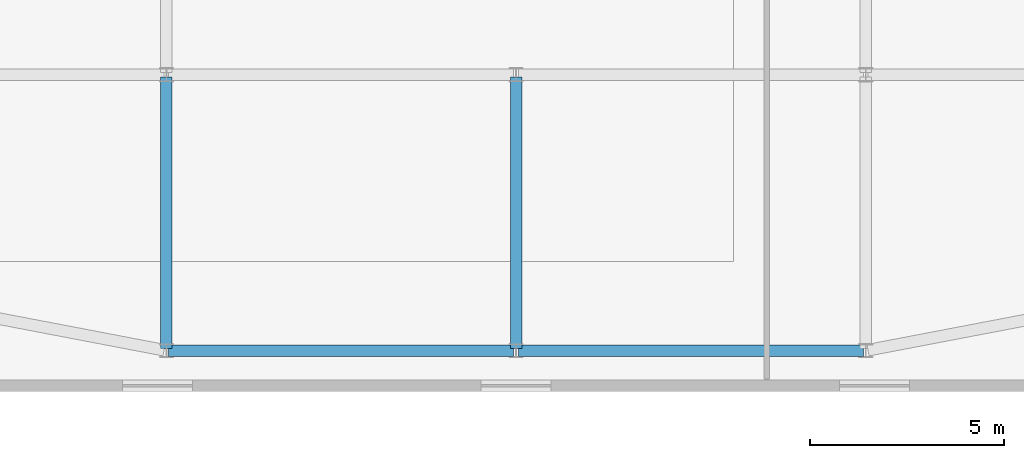
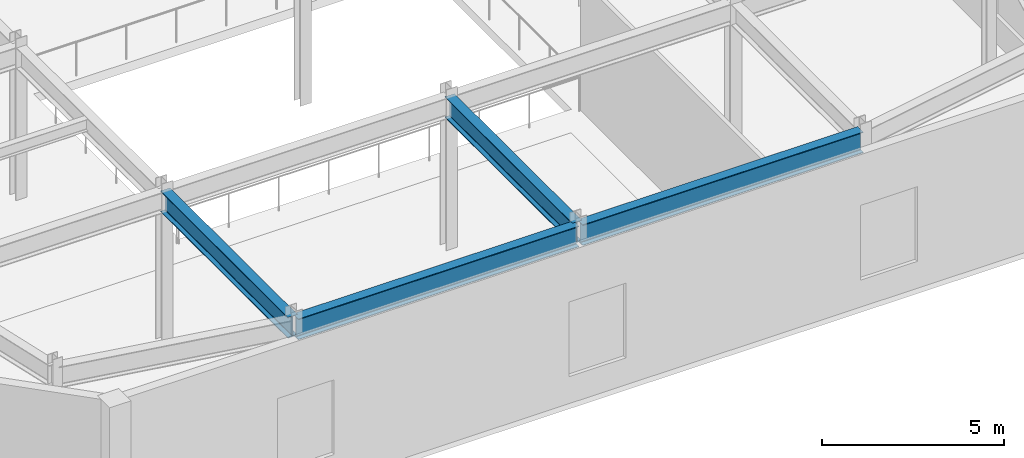
# One storey, part 33 of 52: 4 beams.
"""IFC4 building model written with IfcOpenShell, lengths in metres."""

from ifc_helpers import new_model, si_unit, direction, frame, origin, origin_2d, place, context, subcontext, project, spatial, i_section, extrude, material, material_profile, profile_set, type_object, element, save


model = new_model("IFC4")

# Units and contexts
model_context = context("Model", 3, precision=1e-05, world=origin(), true_north=direction((0.0, 1.0)))
body_context = subcontext(model_context, "Body", "Model", "MODEL_VIEW")
ifc_project = project(units=[si_unit("LENGTHUNIT", "METRE"), si_unit("AREAUNIT", "SQUARE_METRE"), si_unit("VOLUMEUNIT", "CUBIC_METRE"), si_unit("PLANEANGLEUNIT", "RADIAN"), si_unit("MASSUNIT", "GRAM", prefix="KILO")], contexts=[model_context])

# Site, building, storey
site_placement = place(None, origin())
site = spatial("IfcSite", under=ifc_project, at=site_placement, CompositionType="ELEMENT")
building_placement = place(site_placement, origin())
building = spatial("IfcBuilding", under=site, at=building_placement, Name="Saevonmaru Cultural Tower", CompositionType="ELEMENT")
storey_placement = place(building_placement, frame((0.0, 0.0, 16.800048828125)))
storey = spatial("IfcBuildingStorey", under=building, at=storey_placement, Name="L03", CompositionType="ELEMENT", Elevation=16.800048828125)

# Beams
ifc_material = material(Name="Steel SM355", Category="steel")
ifc_material_profile = material_profile(ifc_material, i_section(OverallWidth=0.300048828125, OverallDepth=0.699951171875, WebThickness=0.012939453125, FlangeThickness=0.02392578125, FilletRadius=0.02587890625, at=origin_2d()), Name="H-700x300x13x24")
ifc_profile_set = profile_set([ifc_material_profile], Name="Steel SM355")
beam_type = type_object("IfcBeamType", Name="BM-G-H700", PredefinedType="BEAM", material=ifc_profile_set)
for number, where, z_axis, x_axis, name in (
    (1, (81.260009765625, 8.89990234375, 4.75), (1.0, 0.0, 0.0), (0.0, 1.0, 0.0), "L03 Library Girder EW-1-2"),
    (2, (90.260009765625, 8.89990234375, 4.75), (1.0, 0.0, 0.0), (0.0, 1.0, 0.0), "L03 Library Girder EW-1-3"),
):
    element("IfcBeam", number, at=place(storey_placement, frame(where, z_axis=z_axis, x_axis=x_axis)), inside=storey, type_object=beam_type, Name=name, PredefinedType="BEAM", context=body_context, shape_type="SweptSolid", body=[
        extrude(i_section(OverallWidth=0.300048828125, OverallDepth=0.699951171875, WebThickness=0.012939453125, FlangeThickness=0.02392578125, FilletRadius=0.02587890625, at=origin_2d()), origin(), (0.0, 0.0, 1.0), 8.8798828125),
    ])
for number, where, z_axis, x_axis, name in (
    (3, (81.199951171875, 8.9599609375, 4.75), (0.0, 1.0, 0.0), (-1.0, 0.0, 0.0), "L03 Library Girder NS-2-1"),
    (4, (90.199951171875, 8.9599609375, 4.75), (0.0, 1.0, 0.0), (-1.0, 0.0, 0.0), "L03 Library Girder NS-3-1"),
):
    element("IfcBeam", number, at=place(storey_placement, frame(where, z_axis=z_axis, x_axis=x_axis)), inside=storey, type_object=beam_type, Name=name, PredefinedType="BEAM", context=body_context, shape_type="SweptSolid", body=[
        extrude(i_section(OverallWidth=0.300048828125, OverallDepth=0.699951171875, WebThickness=0.012939453125, FlangeThickness=0.02392578125, FilletRadius=0.02587890625, at=origin_2d()), origin(), (0.0, 0.0, 1.0), 6.97998046875),
    ])

save(model, "model.ifc")
